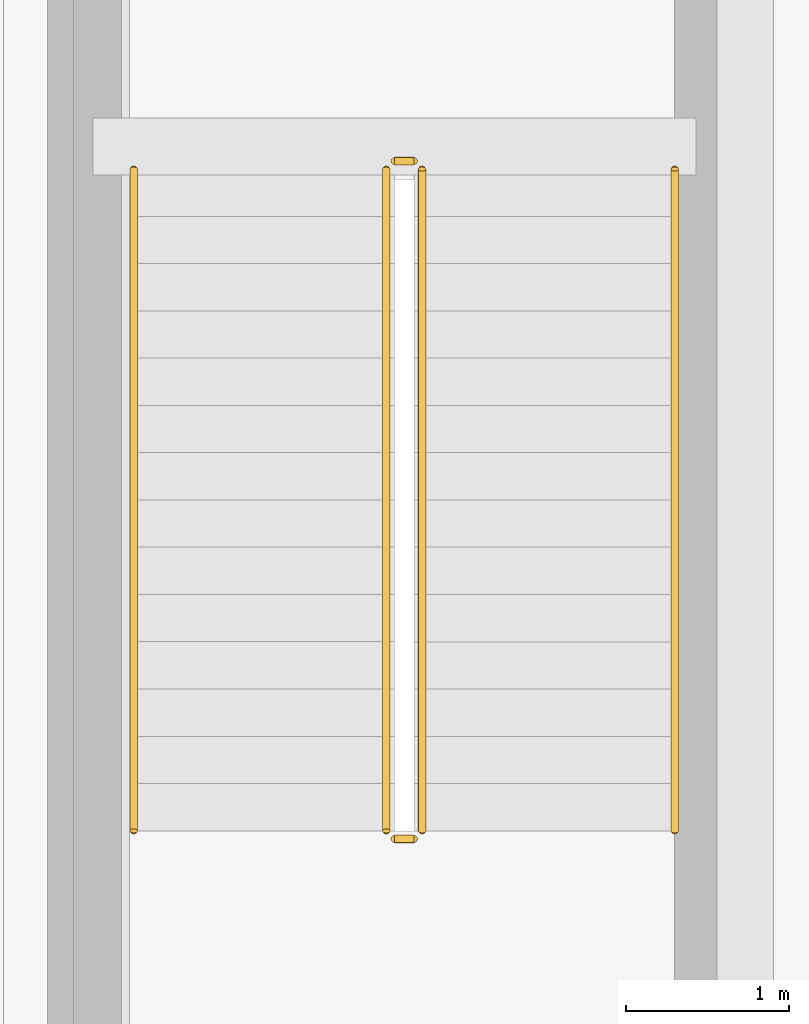
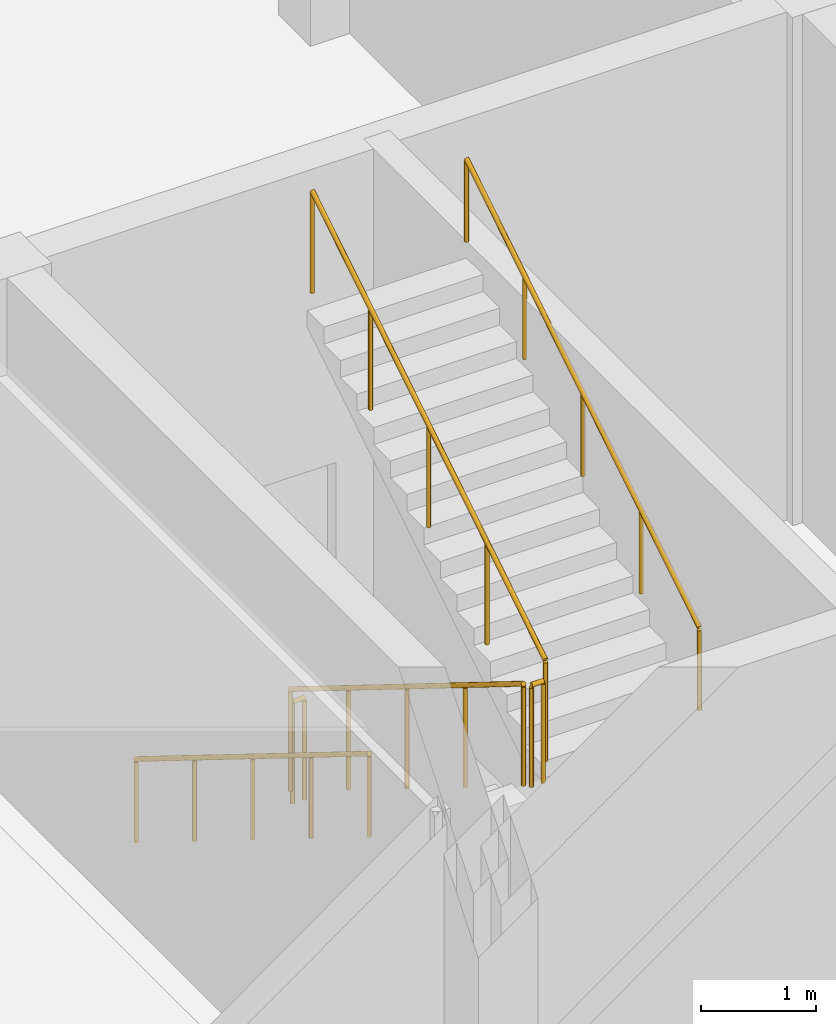
# One storey, part 38 of 41: 6 railings.
"""IFC4 building model written with IfcOpenShell, lengths in metres."""

from ifc_helpers import new_model, si_unit, direction, frame, origin, origin_2d, place, context, subcontext, project, spatial, circle, extrude, material, type_object, element, save


model = new_model("IFC4")

# Units and contexts
model_context = context("Model", 3, precision=1e-05, world=origin(), true_north=direction((0.0, 1.0)))
body_context = subcontext(model_context, "Body", "Model", "MODEL_VIEW")
ifc_project = project(units=[si_unit("LENGTHUNIT", "METRE"), si_unit("AREAUNIT", "SQUARE_METRE"), si_unit("VOLUMEUNIT", "CUBIC_METRE"), si_unit("PLANEANGLEUNIT", "RADIAN"), si_unit("MASSUNIT", "GRAM", prefix="KILO")], contexts=[model_context])

# Site, building, storey
site_placement = place(None, origin())
site = spatial("IfcSite", under=ifc_project, at=site_placement, CompositionType="ELEMENT")
building_placement = place(site_placement, origin())
building = spatial("IfcBuilding", under=site, at=building_placement, Name="Vharandega Faculty of Natural Sciences", CompositionType="ELEMENT")
storey_placement = place(building_placement, origin())
storey = spatial("IfcBuildingStorey", under=building, at=storey_placement, Name="L00", CompositionType="ELEMENT", Elevation=0.0)

# Railings
ifc_material_1 = material(Name="Brushed stainless steel handrail", Category="steel")
railing_type_1 = type_object("IfcRailingType", Name="Stair Tubular Handrail 900", PredefinedType="HANDRAIL", material=ifc_material_1)
railing_1_placement = place(storey_placement, frame((48.25, 70.610107421875, 0.179931640625)))
element("IfcRailing", 1, at=railing_1_placement, inside=storey, type_object=railing_type_1, Name="L00 ST5 stair handrail 1", PredefinedType="HANDRAIL", context=body_context, shape_type="SweptSolid", body=[
    extrude(circle(Radius=0.02392578125, at=origin_2d()), frame((0.0, 0.0, 0.8759765625), z_axis=(0.0, -0.849641744969, 0.527360318194), x_axis=(1.0, 0.0, 0.0)), (0.0, 0.0, 1.0), 4.778564453125),
    extrude(circle(Radius=0.02099609375, at=origin_2d()), origin(), (0.0, 0.0, 1.0), 0.851806640625),
    extrude(circle(Radius=0.02099609375, at=origin_2d()), frame((0.0, -1.01513671875, 0.6298828125)), (0.0, 0.0, 1.0), 0.851806640625),
    extrude(circle(Radius=0.02099609375, at=origin_2d()), frame((0.0, -2.030029296875, 1.260009765625)), (0.0, 0.0, 1.0), 0.851806640625),
    extrude(circle(Radius=0.02099609375, at=origin_2d()), frame((0.0, -3.044921875, 1.89013671875)), (0.0, 0.0, 1.0), 0.851806640625),
    extrude(circle(Radius=0.02099609375, at=origin_2d()), frame((0.0, -4.06005859375, 2.52001953125)), (0.0, 0.0, 1.0), 0.851806640625),
])
railing_2_placement = place(storey_placement, frame((51.570068359375, 66.550048828125, 2.8798828125)))
element("IfcRailing", 2, at=railing_2_placement, inside=storey, type_object=railing_type_1, Name="L00 ST5 stair handrail 2", PredefinedType="HANDRAIL", context=body_context, shape_type="SweptSolid", body=[
    extrude(circle(Radius=0.02392578125, at=origin_2d()), frame((0.0, 0.0, 0.8759765625), z_axis=(0.0, 0.849641744969, 0.527360318194), x_axis=(-1.0, 0.0, 0.0)), (0.0, 0.0, 1.0), 4.778564453125),
    extrude(circle(Radius=0.02099609375, at=origin_2d()), origin(), (0.0, 0.0, 1.0), 0.851806640625),
    extrude(circle(Radius=0.02099609375, at=origin_2d()), frame((0.0, 1.01513671875, 0.6298828125)), (0.0, 0.0, 1.0), 0.851806640625),
    extrude(circle(Radius=0.02099609375, at=origin_2d()), frame((0.0, 2.030029296875, 1.260009765625)), (0.0, 0.0, 1.0), 0.851806640625),
    extrude(circle(Radius=0.02099609375, at=origin_2d()), frame((0.0, 3.044921875, 1.89013671875)), (0.0, 0.0, 1.0), 0.851806640625),
    extrude(circle(Radius=0.02099609375, at=origin_2d()), frame((0.0, 4.06005859375, 2.52001953125)), (0.0, 0.0, 1.0), 0.851806640625),
])
ifc_material_2 = material(Name="Painted steel stair guardrail", Category="steel")
railing_type_2 = type_object("IfcRailingType", Name="Stairwell Steel Guardrail 1100", PredefinedType="GUARDRAIL", material=ifc_material_2)
railing_3_placement = place(storey_placement, frame((49.800048828125, 70.610107421875, 0.179931640625)))
element("IfcRailing", 3, at=railing_3_placement, inside=storey, type_object=railing_type_2, Name="L00 ST5 stair guard 1", PredefinedType="GUARDRAIL", context=body_context, shape_type="SweptSolid", body=[
    extrude(circle(Radius=0.02392578125, at=origin_2d()), frame((0.0, 0.0, 1.076171875), z_axis=(0.0, -0.849641744969, 0.527360318194), x_axis=(1.0, 0.0, 0.0)), (0.0, 0.0, 1.0), 4.778564453125),
    extrude(circle(Radius=0.02099609375, at=origin_2d()), origin(), (0.0, 0.0, 1.0), 1.052001953125),
    extrude(circle(Radius=0.02099609375, at=origin_2d()), frame((0.0, -1.01513671875, 0.6298828125)), (0.0, 0.0, 1.0), 1.052001953125),
    extrude(circle(Radius=0.02099609375, at=origin_2d()), frame((0.0, -2.030029296875, 1.260009765625)), (0.0, 0.0, 1.0), 1.052001953125),
    extrude(circle(Radius=0.02099609375, at=origin_2d()), frame((0.0, -3.044921875, 1.89013671875)), (0.0, 0.0, 1.0), 1.052001953125),
    extrude(circle(Radius=0.02099609375, at=origin_2d()), frame((0.0, -4.06005859375, 2.52001953125)), (0.0, 0.0, 1.0), 1.052001953125),
])
railing_4_placement = place(storey_placement, frame((49.85009765625, 66.5, 2.699951171875)))
element("IfcRailing", 4, at=railing_4_placement, inside=storey, type_object=railing_type_2, Name="L00 ST5 stair guard 2", PredefinedType="GUARDRAIL", context=body_context, shape_type="SweptSolid", body=[
    extrude(circle(Radius=0.02392578125, at=origin_2d()), frame((0.0, 0.0, 1.076171875), z_axis=(1.0, 0.0, 0.0), x_axis=(0.0, 1.0, 0.0)), (0.0, 0.0, 1.0), 0.119873046875),
    extrude(circle(Radius=0.02099609375, at=origin_2d()), origin(), (0.0, 0.0, 1.0), 1.052001953125),
    extrude(circle(Radius=0.02099609375, at=origin_2d()), frame((0.119873046875, 0.0, 0.0)), (0.0, 0.0, 1.0), 1.052001953125),
])
railing_5_placement = place(storey_placement, frame((50.02001953125, 66.550048828125, 2.8798828125)))
element("IfcRailing", 5, at=railing_5_placement, inside=storey, type_object=railing_type_2, Name="L00 ST5 stair guard 3", PredefinedType="GUARDRAIL", context=body_context, shape_type="SweptSolid", body=[
    extrude(circle(Radius=0.02392578125, at=origin_2d()), frame((0.0, 0.0, 1.076171875), z_axis=(0.0, 0.849641744969, 0.527360318194), x_axis=(-1.0, 0.0, 0.0)), (0.0, 0.0, 1.0), 4.778564453125),
    extrude(circle(Radius=0.02099609375, at=origin_2d()), origin(), (0.0, 0.0, 1.0), 1.052001953125),
    extrude(circle(Radius=0.02099609375, at=origin_2d()), frame((0.0, 1.01513671875, 0.6298828125)), (0.0, 0.0, 1.0), 1.052001953125),
    extrude(circle(Radius=0.02099609375, at=origin_2d()), frame((0.0, 2.030029296875, 1.260009765625)), (0.0, 0.0, 1.0), 1.052001953125),
    extrude(circle(Radius=0.02099609375, at=origin_2d()), frame((0.0, 3.044921875, 1.89013671875)), (0.0, 0.0, 1.0), 1.052001953125),
    extrude(circle(Radius=0.02099609375, at=origin_2d()), frame((0.0, 4.06005859375, 2.52001953125)), (0.0, 0.0, 1.0), 1.052001953125),
])
railing_6_placement = place(storey_placement, frame((49.85009765625, 70.659912109375, 0.0)))
element("IfcRailing", 6, at=railing_6_placement, inside=storey, type_object=railing_type_2, Name="L00 ST5 stair guard 4", PredefinedType="GUARDRAIL", context=body_context, shape_type="SweptSolid", body=[
    extrude(circle(Radius=0.02392578125, at=origin_2d()), frame((0.0, 0.0, 1.076171875), z_axis=(1.0, 0.0, 0.0), x_axis=(0.0, 1.0, 0.0)), (0.0, 0.0, 1.0), 0.119873046875),
    extrude(circle(Radius=0.02099609375, at=origin_2d()), origin(), (0.0, 0.0, 1.0), 1.052001953125),
    extrude(circle(Radius=0.02099609375, at=origin_2d()), frame((0.119873046875, 0.0, 0.0)), (0.0, 0.0, 1.0), 1.052001953125),
])

save(model, "model.ifc")
